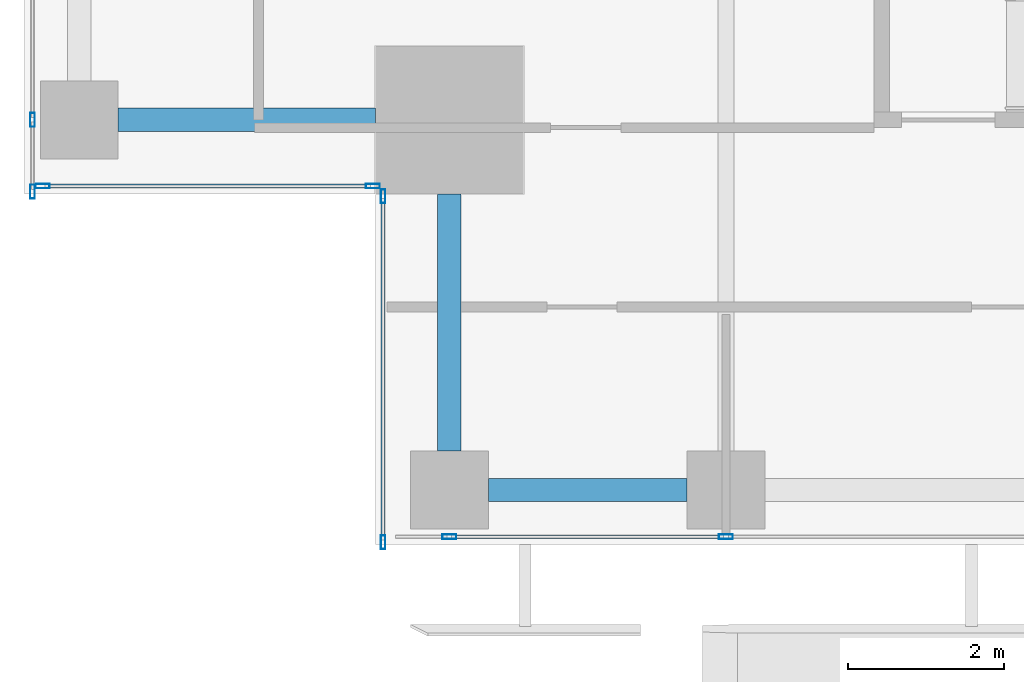
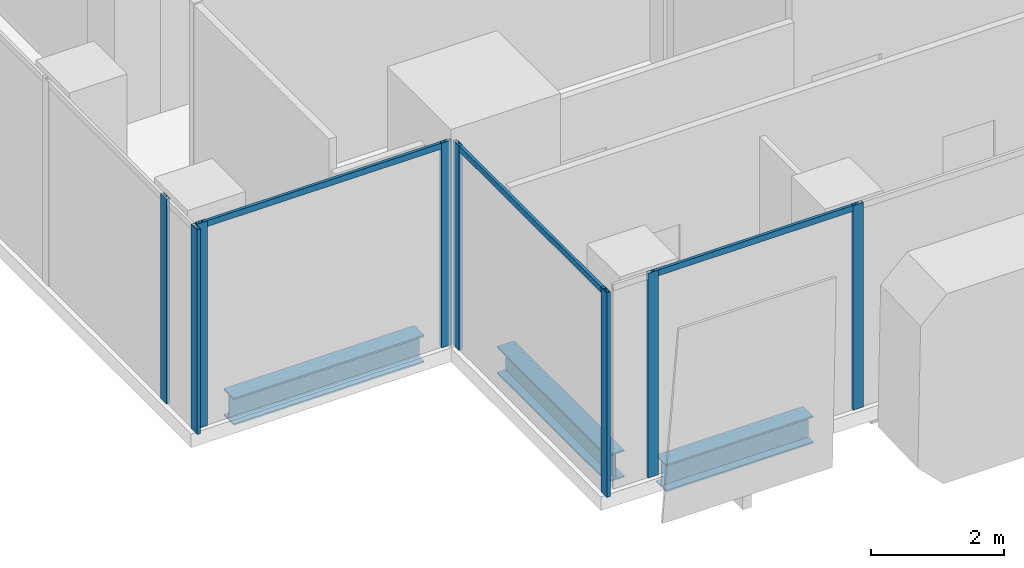
# One storey, part 2 of 37: 11 members, 3 beams, 4 elements without a shape of their own.
"""IFC4 building model written with IfcOpenShell, lengths in metres."""

from ifc_helpers import new_model, si_unit, direction, frame, origin, origin_2d, place, context, subcontext, project, spatial, hollow_rectangle, i_section, extrude, source, transform, mapped, material, material_profile, profile_set, type_object, element, aggregate, save


model = new_model("IFC4")

# Units and contexts
model_context = context("Model", 3, precision=1e-05, world=origin(), true_north=direction((0.0, 1.0)))
body_context = subcontext(model_context, "Body", "Model", "MODEL_VIEW")
ifc_project = project(units=[si_unit("LENGTHUNIT", "METRE"), si_unit("AREAUNIT", "SQUARE_METRE"), si_unit("VOLUMEUNIT", "CUBIC_METRE"), si_unit("PLANEANGLEUNIT", "RADIAN"), si_unit("MASSUNIT", "GRAM", prefix="KILO")], contexts=[model_context])

# Site, building, storey
site_placement = place(None, origin())
site = spatial("IfcSite", under=ifc_project, at=site_placement, CompositionType="ELEMENT")
building_placement = place(site_placement, origin())
building = spatial("IfcBuilding", under=site, at=building_placement, Name="Khomas Fold Tower", CompositionType="ELEMENT")
storey_placement = place(building_placement, frame((0.0, 0.0, 168.699951171875)))
storey = spatial("IfcBuildingStorey", under=building, at=storey_placement, Name="L36", CompositionType="ELEMENT", Elevation=168.699951171875)

# Beams
ifc_material_1 = material(Name="Steel S355", Category="steel")
ifc_material_profile_1 = material_profile(ifc_material_1, i_section(OverallWidth=0.300048828125, OverallDepth=0.5, WebThickness=0.014404296875, FlangeThickness=0.028076171875, at=origin_2d()), Name="HE 500 B")
ifc_profile_set_1 = profile_set([ifc_material_profile_1], Name="Steel S355")
beam_type = type_object("IfcBeamType", Name="HE 500 B spandrel SB3", PredefinedType="SPANDREL", material=ifc_profile_set_1)
shared_shape_1 = source(origin(), body_context, "Body", "SweptSolid", [
    extrude(i_section(OverallWidth=0.300048828125, OverallDepth=0.5, WebThickness=0.014404296875, FlangeThickness=0.028076171875, at=origin_2d()), origin(), (0.0, 0.0, 1.0), 2.550048828125),
])
beam_placement = place(storey_placement, frame((8.949951171875, 3.699951171875, -0.5), z_axis=(1.0, 0.0, 0.0), x_axis=(0.0, 1.0, 0.0)))
element("IfcBeam", 1, at=beam_placement, inside=storey, type_object=beam_type, Name="SB3", PredefinedType="SPANDREL", context=body_context, shape_type="MappedRepresentation", body=[
    mapped(shared_shape_1, transform((0.0, 0.0, 0.0))),
])
shared_shape_2 = source(origin(), body_context, "Body", "SweptSolid", [
    extrude(i_section(OverallWidth=0.300048828125, OverallDepth=0.5, WebThickness=0.014404296875, FlangeThickness=0.028076171875, at=origin_2d()), origin(), (0.0, 0.0, 1.0), 3.300048828125),
])
for number, where, z_axis, x_axis, name in (
    (2, (4.199951171875, 8.449951171875, -0.5), (1.0, 0.0, 0.0), (0.0, 1.0, 0.0), "SB3"),
    (3, (8.449951171875, 4.199951171875, -0.5), (0.0, 1.0, 0.0), (-1.0, 0.0, 0.0), "SB3"),
):
    element("IfcBeam", number, at=place(storey_placement, frame(where, z_axis=z_axis, x_axis=x_axis)), inside=storey, type_object=beam_type, Name=name, PredefinedType="SPANDREL", context=body_context, shape_type="MappedRepresentation", body=[
        mapped(shared_shape_2, transform((0.0, 0.0, 0.0))),
    ])

# Curtain wall, members
ifc_material_2 = material(Name="Aluminium framed double glazing", Category="aluminium")
curtain_wall_type = type_object("IfcCurtainWallType", Name="SK-Unitised clear-glass wall, office floors CW2", PredefinedType="NOTDEFINED", material=ifc_material_2)
curtain_wall_1_placement = place(storey_placement, origin())
curtain_wall_1 = element("IfcCurtainWall", 4, at=curtain_wall_1_placement, inside=storey, type_object=curtain_wall_type, Name="CW2 corner return L36 00", PredefinedType="NOTDEFINED")
ifc_material_3 = material(Name="Aluminium", Category="aluminium")
ifc_material_profile_2 = material_profile(ifc_material_3, hollow_rectangle(XDim=0.06005859375, YDim=0.179931640625, WallThickness=0.00390625, at=origin_2d()), Name="SK-Unitised clear-glass wall, office floors mullion CW2-M")
ifc_profile_set_2 = profile_set([ifc_material_profile_2], Name="Aluminium")
member_type_1 = type_object("IfcMemberType", Name="SK-Unitised clear-glass wall, office floors mullion CW2-M", PredefinedType="MULLION", material=ifc_profile_set_2)
shared_shape_3 = source(origin(), body_context, "Body", "SweptSolid", [
    extrude(hollow_rectangle(XDim=0.06005859375, YDim=0.179931640625, WallThickness=0.00390625, at=origin_2d()), origin(), (0.0, 0.0, 1.0), 3.75),
])
member_1_placement = place(storey_placement, frame((7.60009765625, 7.469970703125, 0.0), z_axis=(0.0, 0.0, 1.0), x_axis=(1.0, 0.0, 0.0)))
member_1 = element("IfcMember", 5, at=member_1_placement, type_object=member_type_1, Name="CW2 mullion 1", PredefinedType="MULLION", context=body_context, shape_type="MappedRepresentation", body=[
    mapped(shared_shape_3, transform((0.0, 0.0, 0.0))),
])
member_2_placement = place(storey_placement, frame((7.60009765625, 3.030029296875, 0.0), z_axis=(0.0, 0.0, 1.0), x_axis=(1.0, 0.0, 0.0)))
member_2 = element("IfcMember", 6, at=member_2_placement, type_object=member_type_1, Name="CW2 mullion 2", PredefinedType="MULLION", context=body_context, shape_type="MappedRepresentation", body=[
    mapped(shared_shape_3, transform((0.0, 0.0, 0.0))),
])

curtain_wall_2_placement = place(storey_placement, origin())
curtain_wall_2 = element("IfcCurtainWall", 7, at=curtain_wall_2_placement, inside=storey, type_object=curtain_wall_type, Name="CW2 run L36 01-0", PredefinedType="NOTDEFINED")
member_3_placement = place(storey_placement, frame((8.449951171875, 3.10009765625, 0.0), z_axis=(0.0, 0.0, 1.0), x_axis=(0.0, 1.0, 0.0)))
member_3 = element("IfcMember", 8, at=member_3_placement, type_object=member_type_1, Name="CW2 mullion 2", PredefinedType="MULLION", context=body_context, shape_type="MappedRepresentation", body=[
    mapped(shared_shape_3, transform((0.0, 0.0, 0.0))),
])
member_4_placement = place(storey_placement, frame((12.0, 3.10009765625, 0.0), z_axis=(0.0, 0.0, 1.0), x_axis=(0.0, 1.0, 0.0)))
member_4 = element("IfcMember", 9, at=member_4_placement, type_object=member_type_1, Name="CW2 mullion 3", PredefinedType="MULLION", context=body_context, shape_type="MappedRepresentation", body=[
    mapped(shared_shape_3, transform((0.0, 0.0, 0.0))),
])

curtain_wall_3_placement = place(storey_placement, origin())
curtain_wall_3 = element("IfcCurtainWall", 10, at=curtain_wall_3_placement, inside=storey, type_object=curtain_wall_type, Name="CW2 run L36 18-0", PredefinedType="NOTDEFINED")
member_5_placement = place(storey_placement, frame((3.10009765625, 8.449951171875, 0.0), z_axis=(0.0, 0.0, 1.0), x_axis=(1.0, 0.0, 0.0)))
member_5 = element("IfcMember", 11, at=member_5_placement, type_object=member_type_1, Name="CW2 mullion 8", PredefinedType="MULLION", context=body_context, shape_type="MappedRepresentation", body=[
    mapped(shared_shape_3, transform((0.0, 0.0, 0.0))),
])
member_6_placement = place(storey_placement, frame((3.10009765625, 7.530029296875, 0.0), z_axis=(0.0, 0.0, 1.0), x_axis=(1.0, 0.0, 0.0)))
member_6 = element("IfcMember", 12, at=member_6_placement, type_object=member_type_1, Name="CW2 mullion 9", PredefinedType="MULLION", context=body_context, shape_type="MappedRepresentation", body=[
    mapped(shared_shape_3, transform((0.0, 0.0, 0.0))),
])
aggregate(curtain_wall_3, [member_5, member_6])

curtain_wall_4_placement = place(storey_placement, origin())
curtain_wall_4 = element("IfcCurtainWall", 13, at=curtain_wall_4_placement, inside=storey, type_object=curtain_wall_type, Name="CW2 corner return L36 19", PredefinedType="NOTDEFINED")
member_7_placement = place(storey_placement, frame((3.22998046875, 7.60009765625, 0.0), z_axis=(0.0, 0.0, 1.0), x_axis=(0.0, 1.0, 0.0)))
member_7 = element("IfcMember", 14, at=member_7_placement, type_object=member_type_1, Name="CW2 mullion 1", PredefinedType="MULLION", context=body_context, shape_type="MappedRepresentation", body=[
    mapped(shared_shape_3, transform((0.0, 0.0, 0.0))),
])
member_8_placement = place(storey_placement, frame((7.469970703125, 7.60009765625, 0.0), z_axis=(0.0, 0.0, 1.0), x_axis=(0.0, 1.0, 0.0)))
member_8 = element("IfcMember", 15, at=member_8_placement, type_object=member_type_1, Name="CW2 mullion 2", PredefinedType="MULLION", context=body_context, shape_type="MappedRepresentation", body=[
    mapped(shared_shape_3, transform((0.0, 0.0, 0.0))),
])

# Member
ifc_material_4 = material(Name="Aluminium", Category="aluminium")
ifc_material_profile_3 = material_profile(ifc_material_4, hollow_rectangle(XDim=0.050048828125, YDim=0.110107421875, WallThickness=0.00390625, at=origin_2d()), Name="SK-Unitised clear-glass wall, office floors transom CW2-T")
ifc_profile_set_3 = profile_set([ifc_material_profile_3], Name="Aluminium")
member_type_2 = type_object("IfcMemberType", Name="SK-Unitised clear-glass wall, office floors transom CW2-T", PredefinedType="USERDEFINED", material=ifc_profile_set_3)
shared_shape_4 = source(origin(), body_context, "Body", "SweptSolid", [
    extrude(hollow_rectangle(XDim=0.050048828125, YDim=0.110107421875, WallThickness=0.00390625, at=origin_2d()), origin(), (0.0, 0.0, 1.0), 4.3798828125),
])
member_9_placement = place(storey_placement, frame((7.60009765625, 7.43994140625, 3.695068359375), z_axis=(0.0, -1.0, 0.0), x_axis=(1.0, 0.0, 0.0)))
member_9 = element("IfcMember", 16, at=member_9_placement, type_object=member_type_2, Name="CW2 transom 1", ObjectType="TRANSOM", PredefinedType="USERDEFINED", context=body_context, shape_type="MappedRepresentation", body=[
    mapped(shared_shape_4, transform((0.0, 0.0, 0.0))),
])

aggregate(curtain_wall_1, [member_1, member_2, member_9])

shared_shape_5 = source(origin(), body_context, "Body", "SweptSolid", [
    extrude(hollow_rectangle(XDim=0.050048828125, YDim=0.110107421875, WallThickness=0.00390625, at=origin_2d()), origin(), (0.0, 0.0, 1.0), 3.489990234375),
])
member_10_placement = place(storey_placement, frame((8.47998046875, 3.10009765625, 3.695068359375), z_axis=(1.0, 0.0, 0.0), x_axis=(0.0, 1.0, 0.0)))
member_10 = element("IfcMember", 17, at=member_10_placement, type_object=member_type_2, Name="CW2 transom 2", ObjectType="TRANSOM", PredefinedType="USERDEFINED", context=body_context, shape_type="MappedRepresentation", body=[
    mapped(shared_shape_5, transform((0.0, 0.0, 0.0))),
])

aggregate(curtain_wall_2, [member_3, member_4, member_10])

shared_shape_6 = source(origin(), body_context, "Body", "SweptSolid", [
    extrude(hollow_rectangle(XDim=0.050048828125, YDim=0.110107421875, WallThickness=0.00390625, at=origin_2d()), origin(), (0.0, 0.0, 1.0), 4.179931640625),
])
member_11_placement = place(storey_placement, frame((3.260009765625, 7.60009765625, 3.695068359375), z_axis=(1.0, 0.0, 0.0), x_axis=(0.0, 1.0, 0.0)))
member_11 = element("IfcMember", 18, at=member_11_placement, type_object=member_type_2, Name="CW2 transom 1", ObjectType="TRANSOM", PredefinedType="USERDEFINED", context=body_context, shape_type="MappedRepresentation", body=[
    mapped(shared_shape_6, transform((0.0, 0.0, 0.0))),
])

aggregate(curtain_wall_4, [member_7, member_8, member_11])

save(model, "model.ifc")
